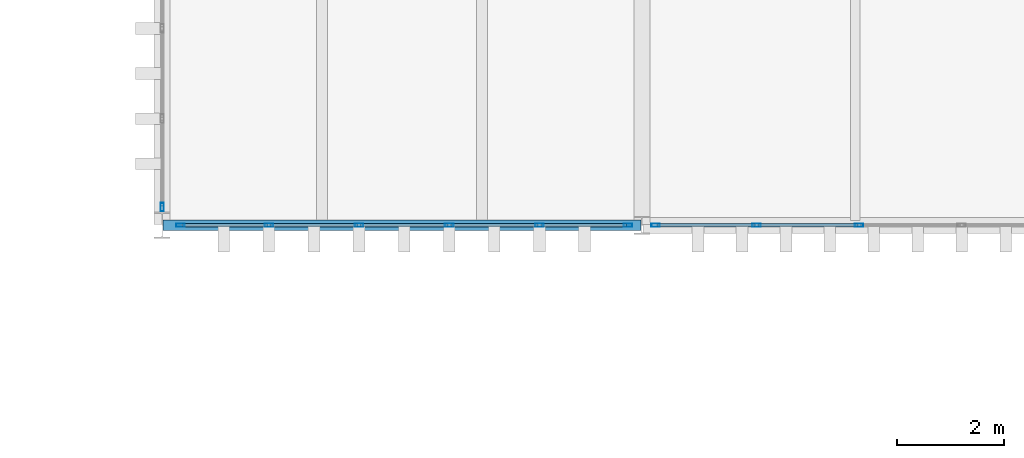
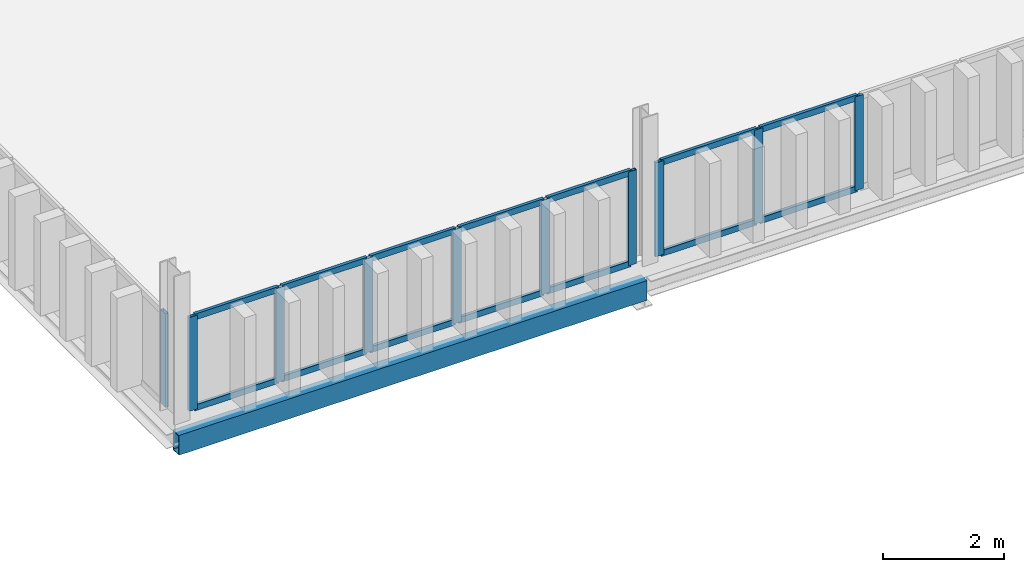
# One storey, part 10 of 58: 24 members, 1 beam, 3 elements without a shape of their own.
"""IFC4 building model written with IfcOpenShell, lengths in metres."""

from ifc_helpers import new_model, si_unit, direction, frame, origin, origin_2d, place, context, subcontext, project, spatial, hollow_rectangle, extrude, material, layer, layer_set, material_profile, profile_set, type_object, element, aggregate, save


model = new_model("IFC4")

# Units and contexts
model_context = context("Model", 3, precision=1e-05, world=origin(), true_north=direction((0.0, 1.0)))
body_context = subcontext(model_context, "Body", "Model", "MODEL_VIEW")
ifc_project = project(units=[si_unit("LENGTHUNIT", "METRE"), si_unit("AREAUNIT", "SQUARE_METRE"), si_unit("VOLUMEUNIT", "CUBIC_METRE"), si_unit("PLANEANGLEUNIT", "RADIAN"), si_unit("MASSUNIT", "GRAM", prefix="KILO")], contexts=[model_context])

# Site, building, storey
site_placement = place(None, origin())
site = spatial("IfcSite", under=ifc_project, at=site_placement, CompositionType="ELEMENT")
building_placement = place(site_placement, origin())
building = spatial("IfcBuilding", under=site, at=building_placement, Name="Barlavento Convention Centre", CompositionType="ELEMENT")
storey_placement = place(building_placement, frame((0.0, 0.0, 26.800048828125)))
storey = spatial("IfcBuildingStorey", under=building, at=storey_placement, Name="L05", CompositionType="ELEMENT", Elevation=26.800048828125)

# Curtain wall, members
ifc_material_1 = material(Name="Powder-coated aluminium and Low-E glass", Category="aluminium")
ifc_layer = layer(ifc_material_1, 0.18994140625)
ifc_layer_set = layer_set([ifc_layer], Name="ARC-CW-CONF-L05")
curtain_wall_type = type_object("IfcCurtainWallType", Name="ARC-CW-CONF-L05", PredefinedType="NOTDEFINED", material=ifc_layer_set)
curtain_wall_1_placement = place(storey_placement, origin())
curtain_wall_1 = element("IfcCurtainWall", 1, at=curtain_wall_1_placement, inside=storey, type_object=curtain_wall_type, Name="L05 unitised curtain wall CW10", PredefinedType="NOTDEFINED")
ifc_material_2 = material(Name="Powder-coated aluminium", Category="aluminium")
ifc_material_profile_1 = material_profile(ifc_material_2, hollow_rectangle(XDim=0.06005859375, YDim=0.159912109375, WallThickness=0.00390625, at=origin_2d()), Name="AL-MULL 60x160x4")
ifc_profile_set_1 = profile_set([ifc_material_profile_1], Name="Powder-coated aluminium")
member_type_1 = type_object("IfcMemberType", Name="ARC-CWM-60X160", PredefinedType="MULLION", material=ifc_profile_set_1)
member_1_placement = place(storey_placement, frame((171.340087890625, 27.0, 0.0), z_axis=(0.0, 0.0, 1.0), x_axis=(0.0, 1.0, 0.0)))
member_1 = element("IfcMember", 2, at=member_1_placement, type_object=member_type_1, Name="CW10 mullion 1", PredefinedType="MULLION", context=body_context, shape_type="SweptSolid", body=[
    extrude(hollow_rectangle(XDim=0.06005859375, YDim=0.159912109375, WallThickness=0.00390625, at=origin_2d()), origin(), (0.0, 0.0, 1.0), 1.89990234375),
])
member_2_placement = place(storey_placement, frame((173.001953125, 27.0, 0.0), z_axis=(0.0, 0.0, 1.0), x_axis=(0.0, 1.0, 0.0)))
member_2 = element("IfcMember", 3, at=member_2_placement, type_object=member_type_1, Name="CW10 mullion 2", PredefinedType="MULLION", context=body_context, shape_type="SweptSolid", body=[
    extrude(hollow_rectangle(XDim=0.06005859375, YDim=0.159912109375, WallThickness=0.00390625, at=origin_2d()), origin(), (0.0, 0.0, 1.0), 1.89990234375),
])
member_3_placement = place(storey_placement, frame((174.694091796875, 27.0, 0.0), z_axis=(0.0, 0.0, 1.0), x_axis=(0.0, 1.0, 0.0)))
member_3 = element("IfcMember", 4, at=member_3_placement, type_object=member_type_1, Name="CW10 mullion 3", PredefinedType="MULLION", context=body_context, shape_type="SweptSolid", body=[
    extrude(hollow_rectangle(XDim=0.06005859375, YDim=0.159912109375, WallThickness=0.00390625, at=origin_2d()), origin(), (0.0, 0.0, 1.0), 1.89990234375),
])
member_4_placement = place(storey_placement, frame((176.385986328125, 27.0, 0.0), z_axis=(0.0, 0.0, 1.0), x_axis=(0.0, 1.0, 0.0)))
member_4 = element("IfcMember", 5, at=member_4_placement, type_object=member_type_1, Name="CW10 mullion 4", PredefinedType="MULLION", context=body_context, shape_type="SweptSolid", body=[
    extrude(hollow_rectangle(XDim=0.06005859375, YDim=0.159912109375, WallThickness=0.00390625, at=origin_2d()), origin(), (0.0, 0.0, 1.0), 1.89990234375),
])
member_5_placement = place(storey_placement, frame((178.077880859375, 27.0, 0.0), z_axis=(0.0, 0.0, 1.0), x_axis=(0.0, 1.0, 0.0)))
member_5 = element("IfcMember", 6, at=member_5_placement, type_object=member_type_1, Name="CW10 mullion 5", PredefinedType="MULLION", context=body_context, shape_type="SweptSolid", body=[
    extrude(hollow_rectangle(XDim=0.06005859375, YDim=0.159912109375, WallThickness=0.00390625, at=origin_2d()), origin(), (0.0, 0.0, 1.0), 1.89990234375),
])
member_6_placement = place(storey_placement, frame((179.739990234375, 27.0, 0.0), z_axis=(0.0, 0.0, 1.0), x_axis=(0.0, 1.0, 0.0)))
member_6 = element("IfcMember", 7, at=member_6_placement, type_object=member_type_1, Name="CW10 mullion 6", PredefinedType="MULLION", context=body_context, shape_type="SweptSolid", body=[
    extrude(hollow_rectangle(XDim=0.06005859375, YDim=0.159912109375, WallThickness=0.00390625, at=origin_2d()), origin(), (0.0, 0.0, 1.0), 1.89990234375),
])

curtain_wall_2_placement = place(storey_placement, origin())
curtain_wall_2 = element("IfcCurtainWall", 8, at=curtain_wall_2_placement, inside=storey, type_object=curtain_wall_type, Name="L05 unitised curtain wall CW10", PredefinedType="NOTDEFINED")
member_7_placement = place(storey_placement, frame((180.260009765625, 27.0, 0.0), z_axis=(0.0, 0.0, 1.0), x_axis=(0.0, 1.0, 0.0)))
member_7 = element("IfcMember", 9, at=member_7_placement, type_object=member_type_1, Name="CW10 mullion 1", PredefinedType="MULLION", context=body_context, shape_type="SweptSolid", body=[
    extrude(hollow_rectangle(XDim=0.06005859375, YDim=0.159912109375, WallThickness=0.00390625, at=origin_2d()), origin(), (0.0, 0.0, 1.0), 1.89990234375),
])
member_8_placement = place(storey_placement, frame((182.1533203125, 27.0, 0.0), z_axis=(0.0, 0.0, 1.0), x_axis=(0.0, 1.0, 0.0)))
member_8 = element("IfcMember", 10, at=member_8_placement, type_object=member_type_1, Name="CW10 mullion 2", PredefinedType="MULLION", context=body_context, shape_type="SweptSolid", body=[
    extrude(hollow_rectangle(XDim=0.06005859375, YDim=0.159912109375, WallThickness=0.00390625, at=origin_2d()), origin(), (0.0, 0.0, 1.0), 1.89990234375),
])
member_9_placement = place(storey_placement, frame((184.07666015625, 27.0, 0.0), z_axis=(0.0, 0.0, 1.0), x_axis=(0.0, 1.0, 0.0)))
member_9 = element("IfcMember", 11, at=member_9_placement, type_object=member_type_1, Name="CW10 mullion 3", PredefinedType="MULLION", context=body_context, shape_type="SweptSolid", body=[
    extrude(hollow_rectangle(XDim=0.06005859375, YDim=0.159912109375, WallThickness=0.00390625, at=origin_2d()), origin(), (0.0, 0.0, 1.0), 1.89990234375),
])

# Curtain wall, member
curtain_wall_3_placement = place(storey_placement, origin())
curtain_wall_3 = element("IfcCurtainWall", 12, at=curtain_wall_3_placement, inside=storey, type_object=curtain_wall_type, Name="L05 unitised curtain wall CW10", PredefinedType="NOTDEFINED")
member_10_placement = place(storey_placement, frame((171.0, 27.340087890625, 0.0), z_axis=(0.0, 0.0, 1.0), x_axis=(-1.0, 0.0, 0.0)))
member_10 = element("IfcMember", 13, at=member_10_placement, type_object=member_type_1, Name="CW10 mullion 1", PredefinedType="MULLION", context=body_context, shape_type="SweptSolid", body=[
    extrude(hollow_rectangle(XDim=0.06005859375, YDim=0.159912109375, WallThickness=0.00390625, at=origin_2d()), origin(), (0.0, 0.0, 1.0), 1.89990234375),
])
aggregate(curtain_wall_3, [member_10])

# Member
ifc_material_profile_2 = material_profile(ifc_material_2, hollow_rectangle(XDim=0.06005859375, YDim=0.1201171875, WallThickness=0.00390625, at=origin_2d()), Name="AL-TRAN 60x120x4")
ifc_profile_set_2 = profile_set([ifc_material_profile_2], Name="Powder-coated aluminium")
member_type_2 = type_object("IfcMemberType", Name="ARC-CWT-60X120", PredefinedType="USERDEFINED", material=ifc_profile_set_2)
member_11_placement = place(storey_placement, frame((171.3701171875, 27.0, 0.030029296875), z_axis=(1.0, 0.0, 0.0), x_axis=(0.0, 1.0, 0.0)))
member_11 = element("IfcMember", 14, at=member_11_placement, type_object=member_type_2, Name="CW10 transom 1.1", ObjectType="TRANSOM", PredefinedType="USERDEFINED", context=body_context, shape_type="SweptSolid", body=[
    extrude(hollow_rectangle(XDim=0.06005859375, YDim=0.1201171875, WallThickness=0.00390625, at=origin_2d()), origin(), (0.0, 0.0, 1.0), 1.601806640625),
])

member_12_placement = place(storey_placement, frame((171.3701171875, 27.0, 1.869873046875), z_axis=(1.0, 0.0, 0.0), x_axis=(0.0, 1.0, 0.0)))
member_12 = element("IfcMember", 15, at=member_12_placement, type_object=member_type_2, Name="CW10 transom 1.2", ObjectType="TRANSOM", PredefinedType="USERDEFINED", context=body_context, shape_type="SweptSolid", body=[
    extrude(hollow_rectangle(XDim=0.06005859375, YDim=0.1201171875, WallThickness=0.00390625, at=origin_2d()), origin(), (0.0, 0.0, 1.0), 1.601806640625),
])

member_13_placement = place(storey_placement, frame((173.031982421875, 27.0, 0.030029296875), z_axis=(1.0, 0.0, 0.0), x_axis=(0.0, 1.0, 0.0)))
member_13 = element("IfcMember", 16, at=member_13_placement, type_object=member_type_2, Name="CW10 transom 2.1", ObjectType="TRANSOM", PredefinedType="USERDEFINED", context=body_context, shape_type="SweptSolid", body=[
    extrude(hollow_rectangle(XDim=0.06005859375, YDim=0.1201171875, WallThickness=0.00390625, at=origin_2d()), origin(), (0.0, 0.0, 1.0), 1.632080078125),
])

member_14_placement = place(storey_placement, frame((173.031982421875, 27.0, 1.869873046875), z_axis=(1.0, 0.0, 0.0), x_axis=(0.0, 1.0, 0.0)))
member_14 = element("IfcMember", 17, at=member_14_placement, type_object=member_type_2, Name="CW10 transom 2.2", ObjectType="TRANSOM", PredefinedType="USERDEFINED", context=body_context, shape_type="SweptSolid", body=[
    extrude(hollow_rectangle(XDim=0.06005859375, YDim=0.1201171875, WallThickness=0.00390625, at=origin_2d()), origin(), (0.0, 0.0, 1.0), 1.632080078125),
])

member_15_placement = place(storey_placement, frame((174.72412109375, 27.0, 0.030029296875), z_axis=(1.0, 0.0, 0.0), x_axis=(0.0, 1.0, 0.0)))
member_15 = element("IfcMember", 18, at=member_15_placement, type_object=member_type_2, Name="CW10 transom 3.1", ObjectType="TRANSOM", PredefinedType="USERDEFINED", context=body_context, shape_type="SweptSolid", body=[
    extrude(hollow_rectangle(XDim=0.06005859375, YDim=0.1201171875, WallThickness=0.00390625, at=origin_2d()), origin(), (0.0, 0.0, 1.0), 1.6318359375),
])

member_16_placement = place(storey_placement, frame((174.72412109375, 27.0, 1.869873046875), z_axis=(1.0, 0.0, 0.0), x_axis=(0.0, 1.0, 0.0)))
member_16 = element("IfcMember", 19, at=member_16_placement, type_object=member_type_2, Name="CW10 transom 3.2", ObjectType="TRANSOM", PredefinedType="USERDEFINED", context=body_context, shape_type="SweptSolid", body=[
    extrude(hollow_rectangle(XDim=0.06005859375, YDim=0.1201171875, WallThickness=0.00390625, at=origin_2d()), origin(), (0.0, 0.0, 1.0), 1.6318359375),
])

member_17_placement = place(storey_placement, frame((176.416015625, 27.0, 0.030029296875), z_axis=(1.0, 0.0, 0.0), x_axis=(0.0, 1.0, 0.0)))
member_17 = element("IfcMember", 20, at=member_17_placement, type_object=member_type_2, Name="CW10 transom 4.1", ObjectType="TRANSOM", PredefinedType="USERDEFINED", context=body_context, shape_type="SweptSolid", body=[
    extrude(hollow_rectangle(XDim=0.06005859375, YDim=0.1201171875, WallThickness=0.00390625, at=origin_2d()), origin(), (0.0, 0.0, 1.0), 1.632080078125),
])

member_18_placement = place(storey_placement, frame((176.416015625, 27.0, 1.869873046875), z_axis=(1.0, 0.0, 0.0), x_axis=(0.0, 1.0, 0.0)))
member_18 = element("IfcMember", 21, at=member_18_placement, type_object=member_type_2, Name="CW10 transom 4.2", ObjectType="TRANSOM", PredefinedType="USERDEFINED", context=body_context, shape_type="SweptSolid", body=[
    extrude(hollow_rectangle(XDim=0.06005859375, YDim=0.1201171875, WallThickness=0.00390625, at=origin_2d()), origin(), (0.0, 0.0, 1.0), 1.632080078125),
])

member_19_placement = place(storey_placement, frame((178.10791015625, 27.0, 0.030029296875), z_axis=(1.0, 0.0, 0.0), x_axis=(0.0, 1.0, 0.0)))
member_19 = element("IfcMember", 22, at=member_19_placement, type_object=member_type_2, Name="CW10 transom 5.1", ObjectType="TRANSOM", PredefinedType="USERDEFINED", context=body_context, shape_type="SweptSolid", body=[
    extrude(hollow_rectangle(XDim=0.06005859375, YDim=0.1201171875, WallThickness=0.00390625, at=origin_2d()), origin(), (0.0, 0.0, 1.0), 1.60205078125),
])

member_20_placement = place(storey_placement, frame((178.10791015625, 27.0, 1.869873046875), z_axis=(1.0, 0.0, 0.0), x_axis=(0.0, 1.0, 0.0)))
member_20 = element("IfcMember", 23, at=member_20_placement, type_object=member_type_2, Name="CW10 transom 5.2", ObjectType="TRANSOM", PredefinedType="USERDEFINED", context=body_context, shape_type="SweptSolid", body=[
    extrude(hollow_rectangle(XDim=0.06005859375, YDim=0.1201171875, WallThickness=0.00390625, at=origin_2d()), origin(), (0.0, 0.0, 1.0), 1.60205078125),
])

aggregate(curtain_wall_1, [member_1, member_2, member_3, member_4, member_5, member_6, member_11, member_12, member_13, member_14, member_15, member_16, member_17, member_18, member_19, member_20])

member_21_placement = place(storey_placement, frame((180.2900390625, 27.0, 0.030029296875), z_axis=(1.0, 0.0, 0.0), x_axis=(0.0, 1.0, 0.0)))
member_21 = element("IfcMember", 24, at=member_21_placement, type_object=member_type_2, Name="CW10 transom 1.1", ObjectType="TRANSOM", PredefinedType="USERDEFINED", context=body_context, shape_type="SweptSolid", body=[
    extrude(hollow_rectangle(XDim=0.06005859375, YDim=0.1201171875, WallThickness=0.00390625, at=origin_2d()), origin(), (0.0, 0.0, 1.0), 1.833251953125),
])

member_22_placement = place(storey_placement, frame((180.2900390625, 27.0, 1.869873046875), z_axis=(1.0, 0.0, 0.0), x_axis=(0.0, 1.0, 0.0)))
member_22 = element("IfcMember", 25, at=member_22_placement, type_object=member_type_2, Name="CW10 transom 1.2", ObjectType="TRANSOM", PredefinedType="USERDEFINED", context=body_context, shape_type="SweptSolid", body=[
    extrude(hollow_rectangle(XDim=0.06005859375, YDim=0.1201171875, WallThickness=0.00390625, at=origin_2d()), origin(), (0.0, 0.0, 1.0), 1.833251953125),
])

member_23_placement = place(storey_placement, frame((182.183349609375, 27.0, 0.030029296875), z_axis=(1.0, 0.0, 0.0), x_axis=(0.0, 1.0, 0.0)))
member_23 = element("IfcMember", 26, at=member_23_placement, type_object=member_type_2, Name="CW10 transom 2.1", ObjectType="TRANSOM", PredefinedType="USERDEFINED", context=body_context, shape_type="SweptSolid", body=[
    extrude(hollow_rectangle(XDim=0.06005859375, YDim=0.1201171875, WallThickness=0.00390625, at=origin_2d()), origin(), (0.0, 0.0, 1.0), 1.86328125),
])

member_24_placement = place(storey_placement, frame((182.183349609375, 27.0, 1.869873046875), z_axis=(1.0, 0.0, 0.0), x_axis=(0.0, 1.0, 0.0)))
member_24 = element("IfcMember", 27, at=member_24_placement, type_object=member_type_2, Name="CW10 transom 2.2", ObjectType="TRANSOM", PredefinedType="USERDEFINED", context=body_context, shape_type="SweptSolid", body=[
    extrude(hollow_rectangle(XDim=0.06005859375, YDim=0.1201171875, WallThickness=0.00390625, at=origin_2d()), origin(), (0.0, 0.0, 1.0), 1.86328125),
])

aggregate(curtain_wall_2, [member_7, member_8, member_9, member_21, member_22, member_23, member_24])

# Beam
ifc_material_3 = material(Name="Steel S355", Category="steel")
ifc_material_profile_3 = material_profile(ifc_material_3, hollow_rectangle(XDim=0.199951171875, YDim=0.39990234375, WallThickness=0.01611328125, at=origin_2d()), Name="RHS 400x200x16.0")
ifc_profile_set_3 = profile_set([ifc_material_profile_3], Name="Steel S355")
beam_type = type_object("IfcBeamType", Name="STR-BM-SPN-RHS400", PredefinedType="SPANDREL", material=ifc_profile_set_3)
beam_placement = place(storey_placement, frame((171.02001953125, 27.0, -0.56005859375), z_axis=(1.0, 0.0, 0.0), x_axis=(0.0, 1.0, 0.0)))
element("IfcBeam", 28, at=beam_placement, inside=storey, type_object=beam_type, Name="L05 primary girder SP06", PredefinedType="SPANDREL", context=body_context, shape_type="SweptSolid", body=[
    extrude(hollow_rectangle(XDim=0.199951171875, YDim=0.39990234375, WallThickness=0.01611328125, at=origin_2d()), origin(), (0.0, 0.0, 1.0), 8.9599609375),
])

save(model, "model.ifc")
